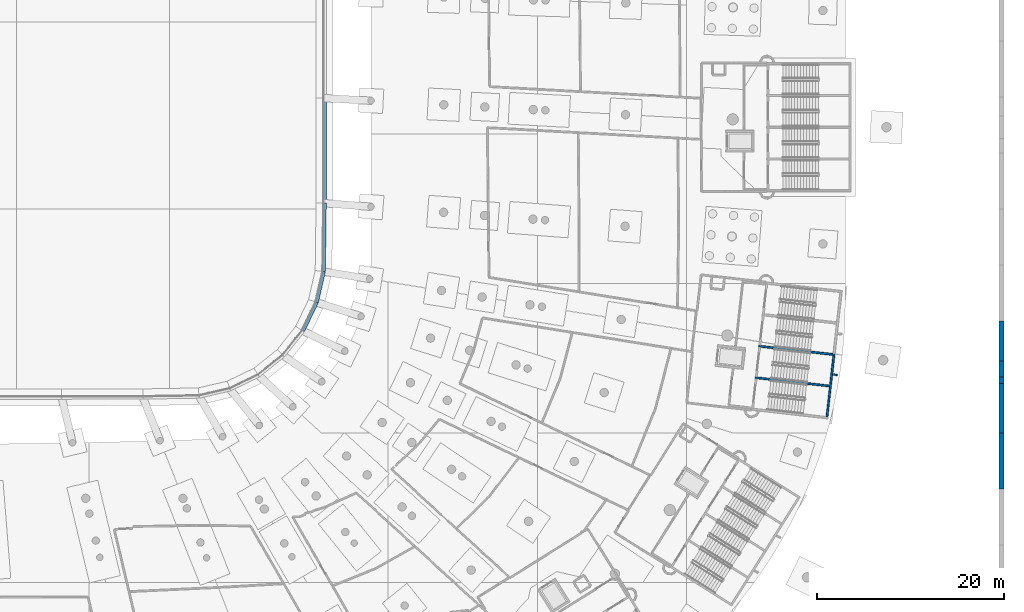
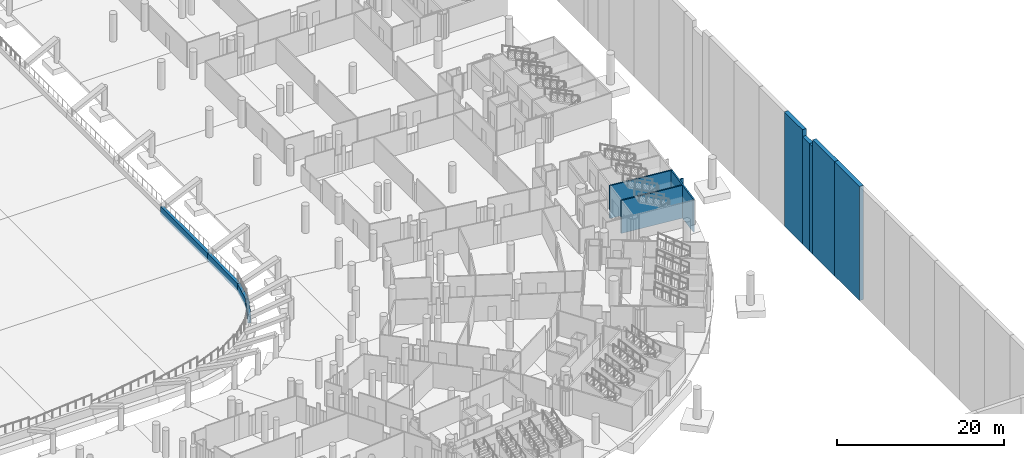
# One storey, part 60 of 142: 13 walls.
"""IFC4 building model written with IfcOpenShell, lengths in metres."""

from ifc_helpers import new_model, si_unit, direction, frame, frame_2d, origin, place, context, subcontext, project, spatial, rectangle, extrude, material, layer, layer_set, type_object, element, save


model = new_model("IFC4")

# Units and contexts
model_context = context("Model", 3, precision=1e-05, world=origin(), true_north=direction((0.0, 1.0)))
body_context = subcontext(model_context, "Body", "Model", "MODEL_VIEW")
ifc_project = project(units=[si_unit("LENGTHUNIT", "METRE"), si_unit("AREAUNIT", "SQUARE_METRE"), si_unit("VOLUMEUNIT", "CUBIC_METRE"), si_unit("PLANEANGLEUNIT", "RADIAN"), si_unit("MASSUNIT", "GRAM", prefix="KILO")], contexts=[model_context])

# Site, building, storey
site_placement = place(None, origin())
site = spatial("IfcSite", under=ifc_project, at=site_placement, CompositionType="ELEMENT")
building_placement = place(site_placement, origin())
building = spatial("IfcBuilding", under=site, at=building_placement, Name="Meseta Stadium", CompositionType="ELEMENT")
storey_placement = place(building_placement, frame((0.0, 0.0, -4.0)))
storey = spatial("IfcBuildingStorey", under=building, at=storey_placement, Name="B1", CompositionType="ELEMENT", Elevation=-4.0)

# Walls
ifc_material_1 = material(Name="Concrete C40/50", Category="concrete")
ifc_layer_1 = layer(ifc_material_1, 0.199951171875)
ifc_layer_set_1 = layer_set([ifc_layer_1], Name="Core divider wall 200")
wall_type_1 = type_object("IfcWallType", Name="Core divider wall 200", PredefinedType="SHEAR", material=ifc_layer_set_1)
wall_1_placement = place(storey_placement, frame((95.503662109375, -58.999267578125, -1.199951171875), z_axis=(0.0, 0.0, 1.0), x_axis=(-0.993710792168, 0.111977058046, 0.0)))
element("IfcWall", 1, at=wall_1_placement, inside=storey, type_object=wall_type_1, Name="Core 01 B1 stair A divider wall", PredefinedType="SHEAR", context=body_context, shape_type="SweptSolid", body=[
    extrude(rectangle(XDim=8.199951171875, YDim=0.199951171875, at=frame_2d((4.10009765625, 0.0))), origin(), (0.0, 0.0, 1.0), 4.800048828125),
])
ifc_material_2 = material(Name="Concrete C40/50", Category="concrete")
ifc_layer_2 = layer(ifc_material_2, 0.199951171875)
ifc_layer_set_2 = layer_set([ifc_layer_2], Name="Core shaft wall 200")
wall_type_2 = type_object("IfcWallType", Name="Core shaft wall 200", PredefinedType="SHEAR", material=ifc_layer_set_2)
wall_2_placement = place(storey_placement, frame((95.884521484375, -55.62060546875, -1.199951171875), z_axis=(0.0, 0.0, 1.0), x_axis=(-0.993711165474, 0.111973745194, 0.0)))
element("IfcWall", 2, at=wall_2_placement, inside=storey, type_object=wall_type_2, Name="Core 01 B1 stair wall shared", PredefinedType="SHEAR", context=body_context, shape_type="SweptSolid", body=[
    extrude(rectangle(XDim=8.2001953125, YDim=0.199951171875, at=frame_2d((4.10009765625, 0.0))), origin(), (0.0, 0.0, 1.0), 4.800048828125),
])
wall_3_placement = place(storey_placement, frame((95.034912109375, -62.267333984375, -1.199951171875), z_axis=(0.0, 0.0, 1.0), x_axis=(0.111933579504, 0.993715690617, 0.0)))
element("IfcWall", 3, at=wall_3_placement, inside=storey, type_object=wall_type_2, Name="Core 01 B1 stair A outer end wall", PredefinedType="SHEAR", context=body_context, shape_type="SweptSolid", body=[
    extrude(rectangle(XDim=6.60009765625, YDim=0.199951171875, at=frame_2d((3.300048828125, 0.0))), origin(), (0.0, 0.0, 1.0), 4.800048828125),
])
ifc_material_3 = material(Name="Masonry blockwork", Category="masonry")
ifc_layer_3 = layer(ifc_material_3, 0.14990234375)
ifc_layer_set_3 = layer_set([ifc_layer_3], Name="Partition 150")
wall_type_3 = type_object("IfcWallType", Name="Partition 150", PredefinedType="PARTITIONING", material=ifc_layer_set_3)
wall_4_placement = place(storey_placement, frame((95.74609375, -57.740234375, 0.0), z_axis=(0.0, 0.0, 1.0), x_axis=(0.987315049766, -0.15877339987, 0.0)))
element("IfcWall", 4, at=wall_4_placement, inside=storey, type_object=wall_type_3, Name="Partition B1 B1-cell27-3-0", PredefinedType="PARTITIONING", context=body_context, shape_type="SweptSolid", body=[
    extrude(rectangle(XDim=0.4013671875, YDim=0.14990234375, at=frame_2d((0.20068359375, 0.0))), origin(), (0.0, 0.0, 1.0), 3.60009765625),
])
ifc_material_4 = material(Name="Concrete C40/50", Category="concrete")
ifc_layer_4 = layer(ifc_material_4, 0.39990234375)
ifc_layer_set_4 = layer_set([ifc_layer_4], Name="Pitch wall 400")
wall_type_4 = type_object("IfcWallType", Name="Pitch wall 400", PredefinedType="SOLIDWALL", material=ifc_layer_set_4)
wall_5_placement = place(storey_placement, frame((41.10302734375, -46.711181640625, -0.39990234375), z_axis=(0.0, 0.0, 1.0), x_axis=(0.013171671235, 0.999913249776, 0.0)))
element("IfcWall", 5, at=wall_5_placement, inside=storey, type_object=wall_type_4, Name="Pitch wall bay 01", PredefinedType="SOLIDWALL", context=body_context, shape_type="SweptSolid", body=[
    extrude(rectangle(XDim=7.321533203125, YDim=0.39990234375, at=frame_2d((3.66064453125, 0.0))), origin(), (0.0, 0.0, 1.0), 1.158935546875),
])
wall_6_placement = place(storey_placement, frame((41.199462890625, -39.390380859375, -0.39990234375), z_axis=(0.0, 0.0, 1.0), x_axis=(2.1692915e-05, 0.999999999765, 0.0)))
element("IfcWall", 6, at=wall_6_placement, inside=storey, type_object=wall_type_4, Name="Pitch wall bay 02", PredefinedType="SOLIDWALL", context=body_context, shape_type="SweptSolid", body=[
    extrude(rectangle(XDim=11.25439453125, YDim=0.39990234375, at=frame_2d((5.627197265625, 0.0))), origin(), (0.0, 0.0, 1.0), 1.158935546875),
])
for number, where, z_axis, x_axis, name in (
    (7, (38.881103515625, -53.067138671875, -0.39990234375), (0.0, 0.0, 1.0), (0.433323702039, 0.901238353185, 0.0), "Pitch wall bay 55"),
    (8, (40.34912109375, -50.013916015625, -0.39990234375), (0.0, 0.0, 1.0), (0.222543009521, 0.974922873315, 0.0), "Pitch wall bay 56"),
):
    element("IfcWall", number, at=place(storey_placement, frame(where, z_axis=z_axis, x_axis=x_axis)), inside=storey, type_object=wall_type_4, Name=name, PredefinedType="SOLIDWALL", context=body_context, shape_type="SweptSolid", body=[
        extrude(rectangle(XDim=3.3876953125, YDim=0.39990234375, at=frame_2d((1.69384765625, 0.0))), origin(), (0.0, 0.0, 1.0), 1.15869140625),
    ])
ifc_material_5 = material(Name="Concrete C30/37", Category="concrete")
ifc_layer_5 = layer(ifc_material_5, 0.550048828125)
ifc_layer_set_5 = layer_set([ifc_layer_5], Name="Site retaining wall 550")
wall_type_5 = type_object("IfcWallType", Name="Site retaining wall 550", PredefinedType="SOLIDWALL", material=ifc_layer_set_5)
wall_7_placement = place(storey_placement, frame((113.72509765625, -69.999755859375, -13.0), z_axis=(0.0, 0.0, 1.0), x_axis=(0.0, 1.0, 0.0)))
element("IfcWall", 9, at=wall_7_placement, inside=storey, type_object=wall_type_5, Name="Site retaining wall 58", PredefinedType="SOLIDWALL", context=body_context, shape_type="SweptSolid", body=[
    extrude(rectangle(XDim=6.0, YDim=0.550048828125, at=frame_2d((3.0, 0.0))), origin(), (0.0, 0.0, 1.0), 16.699951171875),
])
wall_8_placement = place(storey_placement, frame((113.72509765625, -63.999755859375, -13.0), z_axis=(0.0, 0.0, 1.0), x_axis=(0.0, 1.0, 0.0)))
element("IfcWall", 10, at=wall_8_placement, inside=storey, type_object=wall_type_5, Name="Site retaining wall 59", PredefinedType="SOLIDWALL", context=body_context, shape_type="SweptSolid", body=[
    extrude(rectangle(XDim=5.2802734375, YDim=0.550048828125, at=frame_2d((2.64013671875, 0.0))), origin(), (0.0, 0.0, 1.0), 16.699951171875),
])
wall_9_placement = place(storey_placement, frame((113.72509765625, -58.719482421875, -13.0), z_axis=(0.0, 0.0, 1.0), x_axis=(0.0, 1.0, 0.0)))
element("IfcWall", 11, at=wall_9_placement, inside=storey, type_object=wall_type_5, Name="Site retaining wall 60", PredefinedType="SOLIDWALL", context=body_context, shape_type="SweptSolid", body=[
    extrude(rectangle(XDim=0.7197265625, YDim=0.550048828125, at=frame_2d((0.35986328125, 0.0))), origin(), (0.0, 0.0, 1.0), 15.699951171875),
])
wall_10_placement = place(storey_placement, frame((113.72509765625, -57.999755859375, -13.0), z_axis=(0.0, 0.0, 1.0), x_axis=(0.0, 1.0, 0.0)))
element("IfcWall", 12, at=wall_10_placement, inside=storey, type_object=wall_type_5, Name="Site retaining wall 61", PredefinedType="SOLIDWALL", context=body_context, shape_type="SweptSolid", body=[
    extrude(rectangle(XDim=1.68017578125, YDim=0.550048828125, at=frame_2d((0.840087890625, 0.0))), origin(), (0.0, 0.0, 1.0), 15.699951171875),
])
wall_11_placement = place(storey_placement, frame((113.72509765625, -56.319580078125, -13.0), z_axis=(0.0, 0.0, 1.0), x_axis=(0.0, 1.0, 0.0)))
element("IfcWall", 13, at=wall_11_placement, inside=storey, type_object=wall_type_5, Name="Site retaining wall 62", PredefinedType="SOLIDWALL", context=body_context, shape_type="SweptSolid", body=[
    extrude(rectangle(XDim=4.31982421875, YDim=0.550048828125, at=frame_2d((2.159912109375, 0.0))), origin(), (0.0, 0.0, 1.0), 16.699951171875),
])

save(model, "model.ifc")
